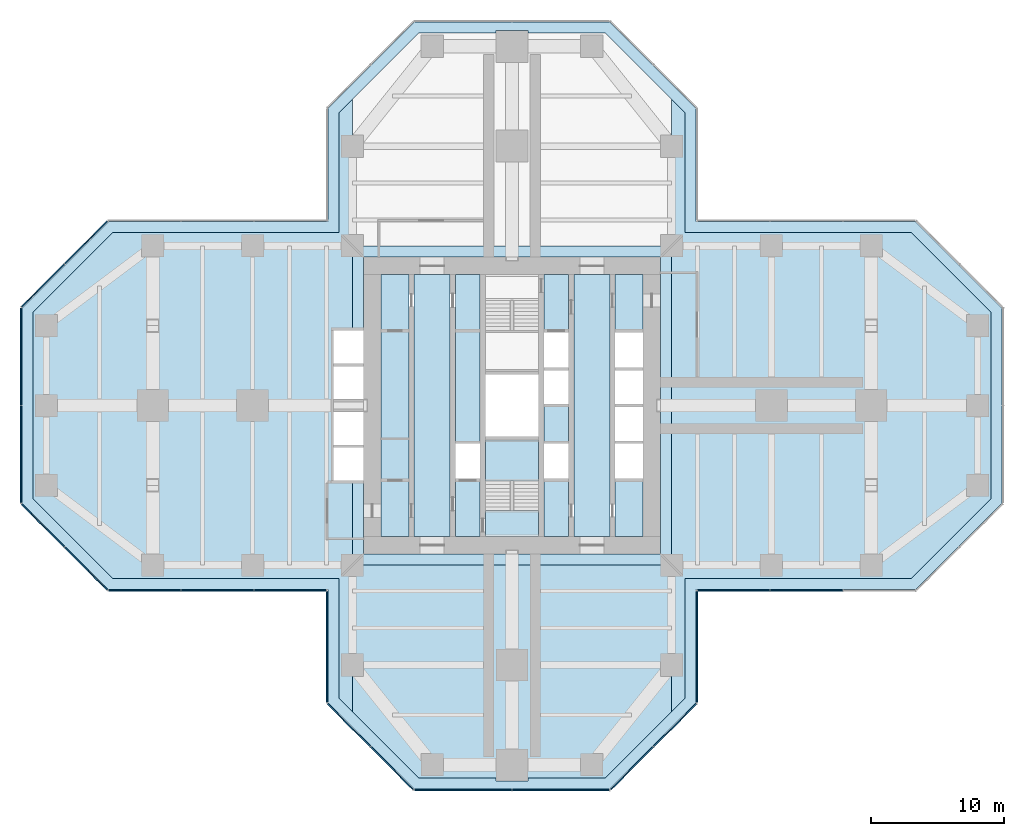
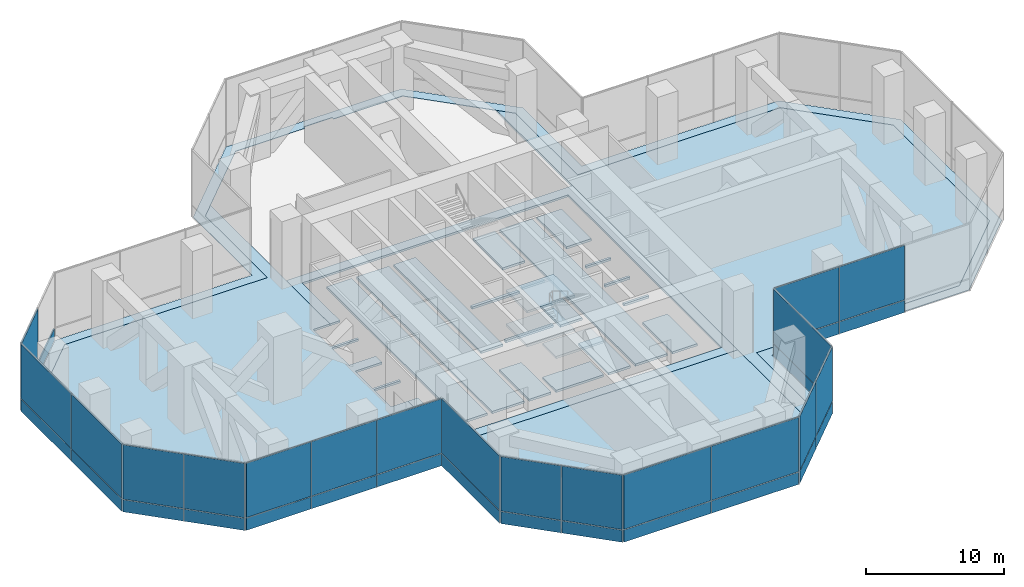
# One storey, part 12 of 19: 38 plates, 9 slabs, 11 elements without a shape of their own.
"""IFC4 building model written with IfcOpenShell, lengths in metres."""

from ifc_helpers import new_model, si_unit, direction, frame, origin, origin_2d, place, context, subcontext, project, spatial, polyline, rectangle, outline, extrude, material, layer, layer_set, type_object, element, aggregate, save


model = new_model("IFC4")

# Units and contexts
model_context = context("Model", 3, precision=1e-05, world=origin(), true_north=direction((0.0, 1.0)))
body_context = subcontext(model_context, "Body", "Model", "MODEL_VIEW")
ifc_project = project(units=[si_unit("LENGTHUNIT", "METRE"), si_unit("AREAUNIT", "SQUARE_METRE"), si_unit("VOLUMEUNIT", "CUBIC_METRE"), si_unit("PLANEANGLEUNIT", "RADIAN"), si_unit("MASSUNIT", "GRAM", prefix="KILO")], contexts=[model_context])

# Site, building, storey
site_placement = place(None, origin())
site = spatial("IfcSite", under=ifc_project, at=site_placement, CompositionType="ELEMENT")
building_placement = place(site_placement, origin())
building = spatial("IfcBuilding", under=site, at=building_placement, Name="Mizan Broadcast Tower", CompositionType="ELEMENT")
storey_placement = place(building_placement, frame((0.0, 0.0, 198.89990234375)))
storey = spatial("IfcBuildingStorey", under=building, at=storey_placement, Name="L46", CompositionType="ELEMENT", Elevation=198.89990234375)

# Plate
ifc_material_1 = material(Name="Aluminium grating", Category="aluminium")
ifc_layer_1 = layer(ifc_material_1, 0.050048828125)
ifc_layer_set_1 = layer_set([ifc_layer_1], Name="Aluminium grating")
plate_type_1 = type_object("IfcPlateType", Name="CAVITY GRATING", PredefinedType="USERDEFINED", material=ifc_layer_set_1)
plate_1_placement = place(storey_placement, frame((0.0, 0.0, -0.0498046875)))
element("IfcPlate", 1, at=plate_1_placement, inside=storey, type_object=plate_type_1, Name="Cavity grating L46", ObjectType="GRATING", PredefinedType="USERDEFINED", context=body_context, shape_type="SweptSolid", body=[
    extrude(outline(polyline([(7.339599609375, -28.820068359375), (13.820068359375, -22.339599609375), (13.820068359375, -13.820068359375), (30.339599609375, -13.820068359375), (36.820068359375, -7.339599609375), (36.820068359375, 7.339599609375), (30.339599609375, 13.820068359375), (13.820068359375, 13.820068359375), (13.820068359375, 22.339599609375), (7.339599609375, 28.820068359375), (-7.339599609375, 28.820068359375), (-13.820068359375, 22.339599609375), (-13.820068359375, 13.820068359375), (-30.339599609375, 13.820068359375), (-36.820068359375, 7.339599609375), (-36.820068359375, -7.339599609375), (-30.339599609375, -13.820068359375), (-13.820068359375, -13.820068359375), (-13.820068359375, -22.339599609375), (-7.339599609375, -28.820068359375), (7.339599609375, -28.820068359375)]), holes=[polyline([(36.0, -7.0), (30.0, -13.0), (13.0, -13.0), (13.0, -22.0), (7.0, -28.0), (1.199951171875, -28.0), (1.199951171875, -28.199951171875), (-1.199951171875, -28.199951171875), (-1.199951171875, -28.0), (-7.0, -28.0), (-13.0, -22.0), (-13.0, -13.0), (-30.0, -13.0), (-36.0, -7.0), (-36.0, 7.0), (-30.0, 13.0), (-13.0, 13.0), (-13.0, 22.0), (-7.0, 28.0), (-1.199951171875, 28.0), (-1.199951171875, 28.199951171875), (1.199951171875, 28.199951171875), (1.199951171875, 28.0), (7.0, 28.0), (13.0, 22.0), (13.0, 13.0), (30.0, 13.0), (36.0, 7.0), (36.0, -7.0)])]), origin(), (0.0, 0.0, 1.0), 0.0498046875),
])

# Slab
ifc_material_2 = material(Name="Concrete C40/50", Category="concrete")
ifc_layer_2 = layer(ifc_material_2, 0.199951171875)
ifc_layer_set_2 = layer_set([ifc_layer_2], Name="Concrete C40/50")
slab_type_1 = type_object("IfcSlabType", Name="CORE FLOOR 200", PredefinedType="FLOOR", material=ifc_layer_set_2)
slab_1_placement = place(storey_placement, frame((0.0, 0.0, -0.199951171875)))
element("IfcSlab", 2, at=slab_1_placement, inside=storey, type_object=slab_type_1, Name="Core floor L46", PredefinedType="FLOOR", context=body_context, shape_type="SweptSolid", body=[
    extrude(outline(polyline([(-9.85009765625, -9.85009765625), (-7.75, -9.85009765625), (-7.75, 9.85009765625), (-9.85009765625, 9.85009765625), (-9.85009765625, -9.85009765625)])), origin(), (0.0, 0.0, 1.0), 0.199951171875),
    extrude(outline(polyline([(-4.64990234375, 9.85009765625), (-7.35009765625, 9.85009765625), (-7.35009765625, -9.85009765625), (-4.64990234375, -9.85009765625), (-4.64990234375, 9.85009765625)])), origin(), (0.0, 0.0, 1.0), 0.199951171875),
    extrude(outline(polyline([(-4.25, -5.5), (-4.25, -9.85009765625), (-2.39990234375, -9.85009765625), (-2.39990234375, -5.5), (-4.25, -5.5)])), origin(), (0.0, 0.0, 1.0), 0.199951171875),
    extrude(outline(polyline([(-4.25, -2.85009765625), (-2.39990234375, -2.85009765625), (-2.39990234375, 9.85009765625), (-4.25, 9.85009765625), (-4.25, -2.85009765625)])), origin(), (0.0, 0.0, 1.0), 0.199951171875),
    extrude(outline(polyline([(2.0, -2.324951171875), (-2.0, -2.324951171875), (-2.0, -2.574951171875), (2.0, -2.574951171875), (2.0, -2.324951171875)])), origin(), (0.0, 0.0, 1.0), 0.199951171875),
    extrude(outline(polyline([(2.0, 2.574951171875), (-2.0, 2.574951171875), (-2.0, 2.324951171875), (2.0, 2.324951171875), (2.0, 2.574951171875)])), origin(), (0.0, 0.0, 1.0), 0.199951171875),
    extrude(outline(polyline([(4.25, -9.85009765625), (4.25, -5.5), (2.39990234375, -5.5), (2.39990234375, -9.85009765625), (4.25, -9.85009765625)])), origin(), (0.0, 0.0, 1.0), 0.199951171875),
    extrude(outline(polyline([(4.25, -2.85009765625), (4.25, 0.10009765625), (2.39990234375, 0.10009765625), (2.39990234375, -2.85009765625), (4.25, -2.85009765625)])), origin(), (0.0, 0.0, 1.0), 0.199951171875),
    extrude(outline(polyline([(4.25, 2.64990234375), (4.25, 2.85009765625), (2.39990234375, 2.85009765625), (2.39990234375, 2.64990234375), (4.25, 2.64990234375)])), origin(), (0.0, 0.0, 1.0), 0.199951171875),
    extrude(outline(polyline([(4.25, 5.5), (4.25, 9.85009765625), (2.39990234375, 9.85009765625), (2.39990234375, 5.5), (4.25, 5.5)])), origin(), (0.0, 0.0, 1.0), 0.199951171875),
    extrude(outline(polyline([(4.64990234375, 9.85009765625), (4.64990234375, -9.85009765625), (7.35009765625, -9.85009765625), (7.35009765625, 9.85009765625), (4.64990234375, 9.85009765625)])), origin(), (0.0, 0.0, 1.0), 0.199951171875),
    extrude(outline(polyline([(9.85009765625, -9.85009765625), (9.85009765625, -5.5), (7.75, -5.5), (7.75, -9.85009765625), (9.85009765625, -9.85009765625)])), origin(), (0.0, 0.0, 1.0), 0.199951171875),
    extrude(outline(polyline([(9.85009765625, -2.85009765625), (9.85009765625, -2.64990234375), (7.75, -2.64990234375), (7.75, -2.85009765625), (9.85009765625, -2.85009765625)])), origin(), (0.0, 0.0, 1.0), 0.199951171875),
    extrude(outline(polyline([(9.85009765625, -0.10009765625), (9.85009765625, 0.10009765625), (7.75, 0.10009765625), (7.75, -0.10009765625), (9.85009765625, -0.10009765625)])), origin(), (0.0, 0.0, 1.0), 0.199951171875),
    extrude(outline(polyline([(7.75, 2.64990234375), (9.85009765625, 2.64990234375), (9.85009765625, 2.85009765625), (7.75, 2.85009765625), (7.75, 2.64990234375)])), origin(), (0.0, 0.0, 1.0), 0.199951171875),
    extrude(outline(polyline([(9.85009765625, 5.5), (9.85009765625, 9.85009765625), (7.75, 9.85009765625), (7.75, 5.5), (9.85009765625, 5.5)])), origin(), (0.0, 0.0, 1.0), 0.199951171875),
])

# Curtain wall, plates
ifc_material_3 = material(Name="Aluminium framed glazing", Category="aluminium")
curtain_wall_type = type_object("IfcCurtainWallType", Name="PLANT LOUVRE", PredefinedType="USERDEFINED", material=ifc_material_3)
curtain_wall_1_placement = place(storey_placement, origin())
curtain_wall_1 = element("IfcCurtainWall", 3, at=curtain_wall_1_placement, inside=storey, type_object=curtain_wall_type, Name="Plant louvre L46 E side", ObjectType="PLANT LOUVRE", PredefinedType="USERDEFINED")
ifc_material_4 = material(Name="Extruded aluminium weather louvre, pale anodised", Category="aluminium")
ifc_layer_3 = layer(ifc_material_4, 0.10009765625)
ifc_layer_set_3 = layer_set([ifc_layer_3], Name="Extruded aluminium weather louvre, pale anodised")
plate_type_2 = type_object("IfcPlateType", Name="PLANT LOUVRE PANEL", PredefinedType="USERDEFINED", material=ifc_layer_set_3)
plate_2_placement = place(storey_placement, frame((16.660400390625, -13.89990234375, 0.0), z_axis=(0.0, 0.0, 1.0), x_axis=(1.0, 0.0, 0.0)))
plate_2 = element("IfcPlate", 4, at=plate_2_placement, type_object=plate_type_2, Name="Plant louvre L46 E side panel 1.1", ObjectType="LOUVRE", PredefinedType="USERDEFINED", context=body_context, shape_type="SweptSolid", body=[
    extrude(rectangle(XDim=5.40087890625, YDim=0.10009765625, at=origin_2d()), origin(), (0.0, 0.0, 1.0), 1.070068359375),
])
plate_3_placement = place(storey_placement, frame((16.660400390625, -13.89990234375, 1.130126953125), z_axis=(0.0, 0.0, 1.0), x_axis=(1.0, 0.0, 0.0)))
plate_3 = element("IfcPlate", 5, at=plate_3_placement, type_object=plate_type_2, Name="Plant louvre L46 E side panel 1.2", ObjectType="LOUVRE", PredefinedType="USERDEFINED", context=body_context, shape_type="SweptSolid", body=[
    extrude(rectangle(XDim=5.40087890625, YDim=0.10009765625, at=origin_2d()), origin(), (0.0, 0.0, 1.0), 4.81005859375),
])
plate_4_placement = place(storey_placement, frame((22.136474609375, -13.89990234375, 0.0), z_axis=(0.0, 0.0, 1.0), x_axis=(1.0, 0.0, 0.0)))
plate_4 = element("IfcPlate", 6, at=plate_4_placement, type_object=plate_type_2, Name="Plant louvre L46 E side panel 2.1", ObjectType="LOUVRE", PredefinedType="USERDEFINED", context=body_context, shape_type="SweptSolid", body=[
    extrude(rectangle(XDim=5.430908203125, YDim=0.10009765625, at=origin_2d()), origin(), (0.0, 0.0, 1.0), 1.070068359375),
])
plate_5_placement = place(storey_placement, frame((22.136474609375, -13.89990234375, 1.130126953125), z_axis=(0.0, 0.0, 1.0), x_axis=(1.0, 0.0, 0.0)))
plate_5 = element("IfcPlate", 7, at=plate_5_placement, type_object=plate_type_2, Name="Plant louvre L46 E side panel 2.2", ObjectType="LOUVRE", PredefinedType="USERDEFINED", context=body_context, shape_type="SweptSolid", body=[
    extrude(rectangle(XDim=5.430908203125, YDim=0.10009765625, at=origin_2d()), origin(), (0.0, 0.0, 1.0), 4.81005859375),
])
aggregate(curtain_wall_1, [plate_2, plate_3, plate_4, plate_5])

curtain_wall_2_placement = place(storey_placement, origin())
curtain_wall_2 = element("IfcCurtainWall", 8, at=curtain_wall_2_placement, inside=storey, type_object=curtain_wall_type, Name="Plant louvre L46 W chamfer", ObjectType="PLANT LOUVRE", PredefinedType="USERDEFINED")
plate_6_placement = place(storey_placement, frame((-32.01513671875, 12.257568359375, 0.0), z_axis=(0.0, 0.0, 1.0), x_axis=(-0.707106781187, -0.707106781187, 0.0)))
plate_6 = element("IfcPlate", 9, at=plate_6_placement, type_object=plate_type_2, Name="Plant louvre L46 W chamfer panel 1.1", ObjectType="LOUVRE", PredefinedType="USERDEFINED", context=body_context, shape_type="SweptSolid", body=[
    extrude(rectangle(XDim=4.525390625, YDim=0.10009765625, at=origin_2d()), origin(), (0.0, 0.0, 1.0), 1.070068359375),
])
plate_7_placement = place(storey_placement, frame((-35.257568359375, 9.01513671875, 0.0), z_axis=(0.0, 0.0, 1.0), x_axis=(-0.707106781187, -0.707106781187, 0.0)))
plate_7 = element("IfcPlate", 10, at=plate_7_placement, type_object=plate_type_2, Name="Plant louvre L46 W chamfer panel 2.1", ObjectType="LOUVRE", PredefinedType="USERDEFINED", context=body_context, shape_type="SweptSolid", body=[
    extrude(rectangle(XDim=4.525390625, YDim=0.10009765625, at=origin_2d()), origin(), (0.0, 0.0, 1.0), 1.070068359375),
])
plate_8_placement = place(storey_placement, frame((-35.257568359375, 9.01513671875, 1.130126953125), z_axis=(0.0, 0.0, 1.0), x_axis=(-0.707106781187, -0.707106781187, 0.0)))
plate_8 = element("IfcPlate", 11, at=plate_8_placement, type_object=plate_type_2, Name="Plant louvre L46 W chamfer panel 2.2", ObjectType="LOUVRE", PredefinedType="USERDEFINED", context=body_context, shape_type="SweptSolid", body=[
    extrude(rectangle(XDim=4.525390625, YDim=0.10009765625, at=origin_2d()), origin(), (0.0, 0.0, 1.0), 4.81005859375),
])
aggregate(curtain_wall_2, [plate_6, plate_7, plate_8])

curtain_wall_3_placement = place(storey_placement, origin())
curtain_wall_3 = element("IfcCurtainWall", 12, at=curtain_wall_3_placement, inside=storey, type_object=curtain_wall_type, Name="Plant louvre L46 W end", ObjectType="PLANT LOUVRE", PredefinedType="USERDEFINED")
plate_9_placement = place(storey_placement, frame((-36.89990234375, 3.67138671875, 0.0), z_axis=(0.0, 0.0, 1.0), x_axis=(0.0, -1.0, 0.0)))
plate_9 = element("IfcPlate", 13, at=plate_9_placement, type_object=plate_type_2, Name="Plant louvre L46 W end panel 1.1", ObjectType="LOUVRE", PredefinedType="USERDEFINED", context=body_context, shape_type="SweptSolid", body=[
    extrude(rectangle(XDim=7.28271484375, YDim=0.10009765625, at=origin_2d()), origin(), (0.0, 0.0, 1.0), 1.070068359375),
])
plate_10_placement = place(storey_placement, frame((-36.89990234375, 3.67138671875, 1.130126953125), z_axis=(0.0, 0.0, 1.0), x_axis=(0.0, -1.0, 0.0)))
plate_10 = element("IfcPlate", 14, at=plate_10_placement, type_object=plate_type_2, Name="Plant louvre L46 W end panel 1.2", ObjectType="LOUVRE", PredefinedType="USERDEFINED", context=body_context, shape_type="SweptSolid", body=[
    extrude(rectangle(XDim=7.28271484375, YDim=0.10009765625, at=origin_2d()), origin(), (0.0, 0.0, 1.0), 4.81005859375),
])
plate_11_placement = place(storey_placement, frame((-36.89990234375, -3.67138671875, 0.0), z_axis=(0.0, 0.0, 1.0), x_axis=(0.0, -1.0, 0.0)))
plate_11 = element("IfcPlate", 15, at=plate_11_placement, type_object=plate_type_2, Name="Plant louvre L46 W end panel 2.1", ObjectType="LOUVRE", PredefinedType="USERDEFINED", context=body_context, shape_type="SweptSolid", body=[
    extrude(rectangle(XDim=7.28271484375, YDim=0.10009765625, at=origin_2d()), origin(), (0.0, 0.0, 1.0), 1.070068359375),
])
plate_12_placement = place(storey_placement, frame((-36.89990234375, -3.67138671875, 1.130126953125), z_axis=(0.0, 0.0, 1.0), x_axis=(0.0, -1.0, 0.0)))
plate_12 = element("IfcPlate", 16, at=plate_12_placement, type_object=plate_type_2, Name="Plant louvre L46 W end panel 2.2", ObjectType="LOUVRE", PredefinedType="USERDEFINED", context=body_context, shape_type="SweptSolid", body=[
    extrude(rectangle(XDim=7.28271484375, YDim=0.10009765625, at=origin_2d()), origin(), (0.0, 0.0, 1.0), 4.81005859375),
])
aggregate(curtain_wall_3, [plate_9, plate_10, plate_11, plate_12])

curtain_wall_4_placement = place(storey_placement, origin())
curtain_wall_4 = element("IfcCurtainWall", 17, at=curtain_wall_4_placement, inside=storey, type_object=curtain_wall_type, Name="Plant louvre L46 W chamfer", ObjectType="PLANT LOUVRE", PredefinedType="USERDEFINED")
plate_13_placement = place(storey_placement, frame((-35.257568359375, -9.01513671875, 0.0), z_axis=(0.0, 0.0, 1.0), x_axis=(0.707106781187, -0.707106781187, 0.0)))
plate_13 = element("IfcPlate", 18, at=plate_13_placement, type_object=plate_type_2, Name="Plant louvre L46 W chamfer panel 1.1", ObjectType="LOUVRE", PredefinedType="USERDEFINED", context=body_context, shape_type="SweptSolid", body=[
    extrude(rectangle(XDim=4.525390625, YDim=0.10009765625, at=origin_2d()), origin(), (0.0, 0.0, 1.0), 1.070068359375),
])
plate_14_placement = place(storey_placement, frame((-35.257568359375, -9.01513671875, 1.130126953125), z_axis=(0.0, 0.0, 1.0), x_axis=(0.707106781187, -0.707106781187, 0.0)))
plate_14 = element("IfcPlate", 19, at=plate_14_placement, type_object=plate_type_2, Name="Plant louvre L46 W chamfer panel 1.2", ObjectType="LOUVRE", PredefinedType="USERDEFINED", context=body_context, shape_type="SweptSolid", body=[
    extrude(rectangle(XDim=4.525390625, YDim=0.10009765625, at=origin_2d()), origin(), (0.0, 0.0, 1.0), 4.81005859375),
])
plate_15_placement = place(storey_placement, frame((-32.01513671875, -12.257568359375, 0.0), z_axis=(0.0, 0.0, 1.0), x_axis=(0.707106781187, -0.707106781187, 0.0)))
plate_15 = element("IfcPlate", 20, at=plate_15_placement, type_object=plate_type_2, Name="Plant louvre L46 W chamfer panel 2.1", ObjectType="LOUVRE", PredefinedType="USERDEFINED", context=body_context, shape_type="SweptSolid", body=[
    extrude(rectangle(XDim=4.525390625, YDim=0.10009765625, at=origin_2d()), origin(), (0.0, 0.0, 1.0), 1.070068359375),
])
plate_16_placement = place(storey_placement, frame((-32.01513671875, -12.257568359375, 1.130126953125), z_axis=(0.0, 0.0, 1.0), x_axis=(0.707106781187, -0.707106781187, 0.0)))
plate_16 = element("IfcPlate", 21, at=plate_16_placement, type_object=plate_type_2, Name="Plant louvre L46 W chamfer panel 2.2", ObjectType="LOUVRE", PredefinedType="USERDEFINED", context=body_context, shape_type="SweptSolid", body=[
    extrude(rectangle(XDim=4.525390625, YDim=0.10009765625, at=origin_2d()), origin(), (0.0, 0.0, 1.0), 4.81005859375),
])
aggregate(curtain_wall_4, [plate_13, plate_14, plate_15, plate_16])

curtain_wall_5_placement = place(storey_placement, origin())
curtain_wall_5 = element("IfcCurtainWall", 22, at=curtain_wall_5_placement, inside=storey, type_object=curtain_wall_type, Name="Plant louvre L46 W side", ObjectType="PLANT LOUVRE", PredefinedType="USERDEFINED")
plate_17_placement = place(storey_placement, frame((-27.6123046875, -13.89990234375, 0.0), z_axis=(0.0, 0.0, 1.0), x_axis=(1.0, 0.0, 0.0)))
plate_17 = element("IfcPlate", 23, at=plate_17_placement, type_object=plate_type_2, Name="Plant louvre L46 W side panel 1.1", ObjectType="LOUVRE", PredefinedType="USERDEFINED", context=body_context, shape_type="SweptSolid", body=[
    extrude(rectangle(XDim=5.40087890625, YDim=0.10009765625, at=origin_2d()), origin(), (0.0, 0.0, 1.0), 1.070068359375),
])
plate_18_placement = place(storey_placement, frame((-27.6123046875, -13.89990234375, 1.130126953125), z_axis=(0.0, 0.0, 1.0), x_axis=(1.0, 0.0, 0.0)))
plate_18 = element("IfcPlate", 24, at=plate_18_placement, type_object=plate_type_2, Name="Plant louvre L46 W side panel 1.2", ObjectType="LOUVRE", PredefinedType="USERDEFINED", context=body_context, shape_type="SweptSolid", body=[
    extrude(rectangle(XDim=5.40087890625, YDim=0.10009765625, at=origin_2d()), origin(), (0.0, 0.0, 1.0), 4.81005859375),
])
plate_19_placement = place(storey_placement, frame((-22.136474609375, -13.89990234375, 0.0), z_axis=(0.0, 0.0, 1.0), x_axis=(1.0, 0.0, 0.0)))
plate_19 = element("IfcPlate", 25, at=plate_19_placement, type_object=plate_type_2, Name="Plant louvre L46 W side panel 2.1", ObjectType="LOUVRE", PredefinedType="USERDEFINED", context=body_context, shape_type="SweptSolid", body=[
    extrude(rectangle(XDim=5.430908203125, YDim=0.10009765625, at=origin_2d()), origin(), (0.0, 0.0, 1.0), 1.070068359375),
])
plate_20_placement = place(storey_placement, frame((-22.136474609375, -13.89990234375, 1.130126953125), z_axis=(0.0, 0.0, 1.0), x_axis=(1.0, 0.0, 0.0)))
plate_20 = element("IfcPlate", 26, at=plate_20_placement, type_object=plate_type_2, Name="Plant louvre L46 W side panel 2.2", ObjectType="LOUVRE", PredefinedType="USERDEFINED", context=body_context, shape_type="SweptSolid", body=[
    extrude(rectangle(XDim=5.430908203125, YDim=0.10009765625, at=origin_2d()), origin(), (0.0, 0.0, 1.0), 4.81005859375),
])
plate_21_placement = place(storey_placement, frame((-16.660400390625, -13.89990234375, 0.0), z_axis=(0.0, 0.0, 1.0), x_axis=(1.0, 0.0, 0.0)))
plate_21 = element("IfcPlate", 27, at=plate_21_placement, type_object=plate_type_2, Name="Plant louvre L46 W side panel 3.1", ObjectType="LOUVRE", PredefinedType="USERDEFINED", context=body_context, shape_type="SweptSolid", body=[
    extrude(rectangle(XDim=5.40087890625, YDim=0.10009765625, at=origin_2d()), origin(), (0.0, 0.0, 1.0), 1.070068359375),
])
plate_22_placement = place(storey_placement, frame((-16.660400390625, -13.89990234375, 1.130126953125), z_axis=(0.0, 0.0, 1.0), x_axis=(1.0, 0.0, 0.0)))
plate_22 = element("IfcPlate", 28, at=plate_22_placement, type_object=plate_type_2, Name="Plant louvre L46 W side panel 3.2", ObjectType="LOUVRE", PredefinedType="USERDEFINED", context=body_context, shape_type="SweptSolid", body=[
    extrude(rectangle(XDim=5.40087890625, YDim=0.10009765625, at=origin_2d()), origin(), (0.0, 0.0, 1.0), 4.81005859375),
])
aggregate(curtain_wall_5, [plate_17, plate_18, plate_19, plate_20, plate_21, plate_22])

curtain_wall_6_placement = place(storey_placement, origin())
curtain_wall_6 = element("IfcCurtainWall", 29, at=curtain_wall_6_placement, inside=storey, type_object=curtain_wall_type, Name="Plant louvre L46 S side", ObjectType="PLANT LOUVRE", PredefinedType="USERDEFINED")
plate_23_placement = place(storey_placement, frame((-13.89990234375, -18.136474609375, 0.0), z_axis=(0.0, 0.0, 1.0), x_axis=(0.0, -1.0, 0.0)))
plate_23 = element("IfcPlate", 30, at=plate_23_placement, type_object=plate_type_2, Name="Plant louvre L46 S side panel 1.1", ObjectType="LOUVRE", PredefinedType="USERDEFINED", context=body_context, shape_type="SweptSolid", body=[
    extrude(rectangle(XDim=8.352783203125, YDim=0.10009765625, at=origin_2d()), origin(), (0.0, 0.0, 1.0), 1.070068359375),
])
plate_24_placement = place(storey_placement, frame((-13.89990234375, -18.136474609375, 1.130126953125), z_axis=(0.0, 0.0, 1.0), x_axis=(0.0, -1.0, 0.0)))
plate_24 = element("IfcPlate", 31, at=plate_24_placement, type_object=plate_type_2, Name="Plant louvre L46 S side panel 1.2", ObjectType="LOUVRE", PredefinedType="USERDEFINED", context=body_context, shape_type="SweptSolid", body=[
    extrude(rectangle(XDim=8.352783203125, YDim=0.10009765625, at=origin_2d()), origin(), (0.0, 0.0, 1.0), 4.81005859375),
])
aggregate(curtain_wall_6, [plate_23, plate_24])

curtain_wall_7_placement = place(storey_placement, origin())
curtain_wall_7 = element("IfcCurtainWall", 32, at=curtain_wall_7_placement, inside=storey, type_object=curtain_wall_type, Name="Plant louvre L46 S chamfer", ObjectType="PLANT LOUVRE", PredefinedType="USERDEFINED")
plate_25_placement = place(storey_placement, frame((-12.257568359375, -24.01513671875, 0.0), z_axis=(0.0, 0.0, 1.0), x_axis=(0.707106781187, -0.707106781187, 0.0)))
plate_25 = element("IfcPlate", 33, at=plate_25_placement, type_object=plate_type_2, Name="Plant louvre L46 S chamfer panel 1.1", ObjectType="LOUVRE", PredefinedType="USERDEFINED", context=body_context, shape_type="SweptSolid", body=[
    extrude(rectangle(XDim=4.525390625, YDim=0.10009765625, at=origin_2d()), origin(), (0.0, 0.0, 1.0), 1.070068359375),
])
plate_26_placement = place(storey_placement, frame((-12.257568359375, -24.01513671875, 1.130126953125), z_axis=(0.0, 0.0, 1.0), x_axis=(0.707106781187, -0.707106781187, 0.0)))
plate_26 = element("IfcPlate", 34, at=plate_26_placement, type_object=plate_type_2, Name="Plant louvre L46 S chamfer panel 1.2", ObjectType="LOUVRE", PredefinedType="USERDEFINED", context=body_context, shape_type="SweptSolid", body=[
    extrude(rectangle(XDim=4.525390625, YDim=0.10009765625, at=origin_2d()), origin(), (0.0, 0.0, 1.0), 4.81005859375),
])
plate_27_placement = place(storey_placement, frame((-9.01513671875, -27.257568359375, 0.0), z_axis=(0.0, 0.0, 1.0), x_axis=(0.707106781187, -0.707106781187, 0.0)))
plate_27 = element("IfcPlate", 35, at=plate_27_placement, type_object=plate_type_2, Name="Plant louvre L46 S chamfer panel 2.1", ObjectType="LOUVRE", PredefinedType="USERDEFINED", context=body_context, shape_type="SweptSolid", body=[
    extrude(rectangle(XDim=4.525390625, YDim=0.10009765625, at=origin_2d()), origin(), (0.0, 0.0, 1.0), 1.070068359375),
])
plate_28_placement = place(storey_placement, frame((-9.01513671875, -27.257568359375, 1.130126953125), z_axis=(0.0, 0.0, 1.0), x_axis=(0.707106781187, -0.707106781187, 0.0)))
plate_28 = element("IfcPlate", 36, at=plate_28_placement, type_object=plate_type_2, Name="Plant louvre L46 S chamfer panel 2.2", ObjectType="LOUVRE", PredefinedType="USERDEFINED", context=body_context, shape_type="SweptSolid", body=[
    extrude(rectangle(XDim=4.525390625, YDim=0.10009765625, at=origin_2d()), origin(), (0.0, 0.0, 1.0), 4.81005859375),
])
aggregate(curtain_wall_7, [plate_25, plate_26, plate_27, plate_28])

curtain_wall_8_placement = place(storey_placement, origin())
curtain_wall_8 = element("IfcCurtainWall", 37, at=curtain_wall_8_placement, inside=storey, type_object=curtain_wall_type, Name="Plant louvre L46 S end", ObjectType="PLANT LOUVRE", PredefinedType="USERDEFINED")
plate_29_placement = place(storey_placement, frame((-3.67138671875, -28.89990234375, 0.0), z_axis=(0.0, 0.0, 1.0), x_axis=(1.0, 0.0, 0.0)))
plate_29 = element("IfcPlate", 38, at=plate_29_placement, type_object=plate_type_2, Name="Plant louvre L46 S end panel 1.1", ObjectType="LOUVRE", PredefinedType="USERDEFINED", context=body_context, shape_type="SweptSolid", body=[
    extrude(rectangle(XDim=7.28271484375, YDim=0.10009765625, at=origin_2d()), origin(), (0.0, 0.0, 1.0), 1.070068359375),
])
plate_30_placement = place(storey_placement, frame((-3.67138671875, -28.89990234375, 1.130126953125), z_axis=(0.0, 0.0, 1.0), x_axis=(1.0, 0.0, 0.0)))
plate_30 = element("IfcPlate", 39, at=plate_30_placement, type_object=plate_type_2, Name="Plant louvre L46 S end panel 1.2", ObjectType="LOUVRE", PredefinedType="USERDEFINED", context=body_context, shape_type="SweptSolid", body=[
    extrude(rectangle(XDim=7.28271484375, YDim=0.10009765625, at=origin_2d()), origin(), (0.0, 0.0, 1.0), 4.81005859375),
])
plate_31_placement = place(storey_placement, frame((3.67138671875, -28.89990234375, 0.0), z_axis=(0.0, 0.0, 1.0), x_axis=(1.0, 0.0, 0.0)))
plate_31 = element("IfcPlate", 40, at=plate_31_placement, type_object=plate_type_2, Name="Plant louvre L46 S end panel 2.1", ObjectType="LOUVRE", PredefinedType="USERDEFINED", context=body_context, shape_type="SweptSolid", body=[
    extrude(rectangle(XDim=7.28271484375, YDim=0.10009765625, at=origin_2d()), origin(), (0.0, 0.0, 1.0), 1.070068359375),
])
plate_32_placement = place(storey_placement, frame((3.67138671875, -28.89990234375, 1.130126953125), z_axis=(0.0, 0.0, 1.0), x_axis=(1.0, 0.0, 0.0)))
plate_32 = element("IfcPlate", 41, at=plate_32_placement, type_object=plate_type_2, Name="Plant louvre L46 S end panel 2.2", ObjectType="LOUVRE", PredefinedType="USERDEFINED", context=body_context, shape_type="SweptSolid", body=[
    extrude(rectangle(XDim=7.28271484375, YDim=0.10009765625, at=origin_2d()), origin(), (0.0, 0.0, 1.0), 4.81005859375),
])
aggregate(curtain_wall_8, [plate_29, plate_30, plate_31, plate_32])

curtain_wall_9_placement = place(storey_placement, origin())
curtain_wall_9 = element("IfcCurtainWall", 42, at=curtain_wall_9_placement, inside=storey, type_object=curtain_wall_type, Name="Plant louvre L46 S chamfer", ObjectType="PLANT LOUVRE", PredefinedType="USERDEFINED")
plate_33_placement = place(storey_placement, frame((9.01513671875, -27.257568359375, 0.0), z_axis=(0.0, 0.0, 1.0), x_axis=(0.707106781187, 0.707106781187, 0.0)))
plate_33 = element("IfcPlate", 43, at=plate_33_placement, type_object=plate_type_2, Name="Plant louvre L46 S chamfer panel 1.1", ObjectType="LOUVRE", PredefinedType="USERDEFINED", context=body_context, shape_type="SweptSolid", body=[
    extrude(rectangle(XDim=4.525390625, YDim=0.10009765625, at=origin_2d()), origin(), (0.0, 0.0, 1.0), 1.070068359375),
])
plate_34_placement = place(storey_placement, frame((9.01513671875, -27.257568359375, 1.130126953125), z_axis=(0.0, 0.0, 1.0), x_axis=(0.707106781187, 0.707106781187, 0.0)))
plate_34 = element("IfcPlate", 44, at=plate_34_placement, type_object=plate_type_2, Name="Plant louvre L46 S chamfer panel 1.2", ObjectType="LOUVRE", PredefinedType="USERDEFINED", context=body_context, shape_type="SweptSolid", body=[
    extrude(rectangle(XDim=4.525390625, YDim=0.10009765625, at=origin_2d()), origin(), (0.0, 0.0, 1.0), 4.81005859375),
])
plate_35_placement = place(storey_placement, frame((12.257568359375, -24.01513671875, 0.0), z_axis=(0.0, 0.0, 1.0), x_axis=(0.707106781187, 0.707106781187, 0.0)))
plate_35 = element("IfcPlate", 45, at=plate_35_placement, type_object=plate_type_2, Name="Plant louvre L46 S chamfer panel 2.1", ObjectType="LOUVRE", PredefinedType="USERDEFINED", context=body_context, shape_type="SweptSolid", body=[
    extrude(rectangle(XDim=4.525390625, YDim=0.10009765625, at=origin_2d()), origin(), (0.0, 0.0, 1.0), 1.070068359375),
])
plate_36_placement = place(storey_placement, frame((12.257568359375, -24.01513671875, 1.130126953125), z_axis=(0.0, 0.0, 1.0), x_axis=(0.707106781187, 0.707106781187, 0.0)))
plate_36 = element("IfcPlate", 46, at=plate_36_placement, type_object=plate_type_2, Name="Plant louvre L46 S chamfer panel 2.2", ObjectType="LOUVRE", PredefinedType="USERDEFINED", context=body_context, shape_type="SweptSolid", body=[
    extrude(rectangle(XDim=4.525390625, YDim=0.10009765625, at=origin_2d()), origin(), (0.0, 0.0, 1.0), 4.81005859375),
])
aggregate(curtain_wall_9, [plate_33, plate_34, plate_35, plate_36])

curtain_wall_10_placement = place(storey_placement, origin())
curtain_wall_10 = element("IfcCurtainWall", 47, at=curtain_wall_10_placement, inside=storey, type_object=curtain_wall_type, Name="Plant louvre L46 S side", ObjectType="PLANT LOUVRE", PredefinedType="USERDEFINED")
plate_37_placement = place(storey_placement, frame((13.89990234375, -18.136474609375, 0.0), z_axis=(0.0, 0.0, 1.0), x_axis=(0.0, 1.0, 0.0)))
plate_37 = element("IfcPlate", 48, at=plate_37_placement, type_object=plate_type_2, Name="Plant louvre L46 S side panel 1.1", ObjectType="LOUVRE", PredefinedType="USERDEFINED", context=body_context, shape_type="SweptSolid", body=[
    extrude(rectangle(XDim=8.352783203125, YDim=0.10009765625, at=origin_2d()), origin(), (0.0, 0.0, 1.0), 1.070068359375),
])
plate_38_placement = place(storey_placement, frame((13.89990234375, -18.136474609375, 1.130126953125), z_axis=(0.0, 0.0, 1.0), x_axis=(0.0, 1.0, 0.0)))
plate_38 = element("IfcPlate", 49, at=plate_38_placement, type_object=plate_type_2, Name="Plant louvre L46 S side panel 1.2", ObjectType="LOUVRE", PredefinedType="USERDEFINED", context=body_context, shape_type="SweptSolid", body=[
    extrude(rectangle(XDim=8.352783203125, YDim=0.10009765625, at=origin_2d()), origin(), (0.0, 0.0, 1.0), 4.81005859375),
])
aggregate(curtain_wall_10, [plate_37, plate_38])

# Slabs
ifc_material_5 = material(Name="Concrete C32/40", Category="concrete")
ifc_layer_4 = layer(ifc_material_5, 0.179931640625)
ifc_layer_set_4 = layer_set([ifc_layer_4], Name="Concrete C32/40")
slab_type_2 = type_object("IfcSlabType", Name="RC SLAB ON DECK 180", PredefinedType="FLOOR", material=ifc_layer_set_4)
slab_2_placement = place(storey_placement, frame((0.0, 0.0, -0.179931640625)))
element("IfcSlab", 50, at=slab_2_placement, inside=storey, type_object=slab_type_2, Name="Floor slab L46 centre", PredefinedType="FLOOR", context=body_context, shape_type="SweptSolid", body=[
    extrude(outline(polyline([(-11.14990234375, -5.64990234375), (-12.0, -5.64990234375), (-12.0, -12.0), (12.0, -12.0), (12.0, 12.0), (-12.0, 12.0), (-12.0, 5.64990234375), (-11.14990234375, 5.64990234375), (-11.14990234375, 11.14990234375), (11.14990234375, 11.14990234375), (11.14990234375, -11.14990234375), (-11.14990234375, -11.14990234375), (-11.14990234375, -5.64990234375)])), origin(), (0.0, 0.0, 1.0), 0.179931640625),
])
slab_3_placement = place(storey_placement, frame((0.0, 0.0, -0.179931640625)))
element("IfcSlab", 51, at=slab_3_placement, inside=storey, type_object=slab_type_2, Name="Floor slab L46 east arm", PredefinedType="FLOOR", context=body_context, shape_type="SweptSolid", body=[
    extrude(outline(polyline([(13.0, 22.0), (12.0, 23.0), (12.0, -23.0), (13.0, -22.0), (13.0, -13.0), (30.0, -13.0), (36.0, -7.0), (36.0, 7.0), (30.0, 13.0), (13.0, 13.0), (13.0, 22.0)])), origin(), (0.0, 0.0, 1.0), 0.179931640625),
])
slab_4_placement = place(storey_placement, frame((0.0, 0.0, -0.179931640625)))
element("IfcSlab", 52, at=slab_4_placement, inside=storey, type_object=slab_type_2, Name="Floor slab L46 west arm", PredefinedType="FLOOR", context=body_context, shape_type="SweptSolid", body=[
    extrude(outline(polyline([(-30.0, 13.0), (-36.0, 7.0), (-36.0, -7.0), (-30.0, -13.0), (-13.0, -13.0), (-13.0, -22.0), (-12.0, -23.0), (-12.0, -5.64990234375), (-13.39990234375, -5.64990234375), (-13.39990234375, -3.14990234375), (-11.14990234375, -3.14990234375), (-11.14990234375, -2.949951171875), (-13.39990234375, -2.949951171875), (-13.39990234375, -0.449951171875), (-11.14990234375, -0.449951171875), (-11.14990234375, 0.449951171875), (-13.39990234375, 0.449951171875), (-13.39990234375, 2.949951171875), (-11.14990234375, 2.949951171875), (-11.14990234375, 3.14990234375), (-13.39990234375, 3.14990234375), (-13.39990234375, 5.64990234375), (-12.0, 5.64990234375), (-12.0, 23.0), (-13.0, 22.0), (-13.0, 13.0), (-30.0, 13.0)])), origin(), (0.0, 0.0, 1.0), 0.179931640625),
])
slab_5_placement = place(storey_placement, frame((0.0, 0.0, -0.179931640625)))
element("IfcSlab", 53, at=slab_5_placement, inside=storey, type_object=slab_type_2, Name="Floor slab L46 south arm", PredefinedType="FLOOR", context=body_context, shape_type="SweptSolid", body=[
    extrude(outline(polyline([(7.0, -28.0), (12.0, -23.0), (12.0, -12.0), (-12.0, -12.0), (-12.0, -23.0), (-7.0, -28.0), (7.0, -28.0)])), origin(), (0.0, 0.0, 1.0), 0.179931640625),
])

# Stair, slabs
ifc_material_6 = material(Name="Concrete C40/50", Category="concrete")
stair_type = type_object("IfcStairType", Name="EXIT STAIR", PredefinedType="HALF_TURN_STAIR", material=ifc_material_6)
stair_placement = place(storey_placement, origin())
stair = element("IfcStair", 54, at=stair_placement, inside=storey, type_object=stair_type, Name="Stair A L46", PredefinedType="HALF_TURN_STAIR")
ifc_material_7 = material(Name="Concrete C40/50", Category="concrete")
ifc_layer_5 = layer(ifc_material_7, 0.199951171875)
ifc_layer_set_5 = layer_set([ifc_layer_5], Name="Concrete C40/50")
slab_type_3 = type_object("IfcSlabType", Name="STAIR LANDING 200", PredefinedType="LANDING", material=ifc_layer_set_5)
slab_6_placement = place(storey_placement, frame((0.0, 0.0, -0.199951171875)))
slab_6 = element("IfcSlab", 55, at=slab_6_placement, type_object=slab_type_3, Name="A landing 1", PredefinedType="LANDING", context=body_context, shape_type="SweptSolid", body=[
    extrude(outline(polyline([(-2.0, -9.85009765625), (-2.0, -7.89990234375), (2.0, -7.89990234375), (2.0, -9.85009765625), (-2.0, -9.85009765625)])), origin(), (0.0, 0.0, 1.0), 0.199951171875),
])
slab_7_placement = place(storey_placement, frame((0.0, 0.0, 1.300048828125)))
slab_7 = element("IfcSlab", 56, at=slab_7_placement, type_object=slab_type_3, Name="A landing 2", PredefinedType="LANDING", context=body_context, shape_type="SweptSolid", body=[
    extrude(outline(polyline([(-2.0, -5.659912109375), (-2.0, -2.574951171875), (2.0, -2.574951171875), (2.0, -5.659912109375), (-2.0, -5.659912109375)])), origin(), (0.0, 0.0, 1.0), 0.199951171875),
])
slab_8_placement = place(storey_placement, frame((0.0, 0.0, 2.800048828125)))
slab_8 = element("IfcSlab", 57, at=slab_8_placement, type_object=slab_type_3, Name="A landing 3", PredefinedType="LANDING", context=body_context, shape_type="SweptSolid", body=[
    extrude(outline(polyline([(-2.0, -9.85009765625), (-2.0, -7.89990234375), (2.0, -7.89990234375), (2.0, -9.85009765625), (-2.0, -9.85009765625)])), origin(), (0.0, 0.0, 1.0), 0.199951171875),
])
slab_9_placement = place(storey_placement, frame((0.0, 0.0, 4.300048828125)))
slab_9 = element("IfcSlab", 58, at=slab_9_placement, type_object=slab_type_3, Name="A landing 4", PredefinedType="LANDING", context=body_context, shape_type="SweptSolid", body=[
    extrude(outline(polyline([(-2.0, -5.659912109375), (-2.0, -2.574951171875), (2.0, -2.574951171875), (2.0, -5.659912109375), (-2.0, -5.659912109375)])), origin(), (0.0, 0.0, 1.0), 0.199951171875),
])
aggregate(stair, [slab_6, slab_7, slab_8, slab_9])

save(model, "model.ifc")
